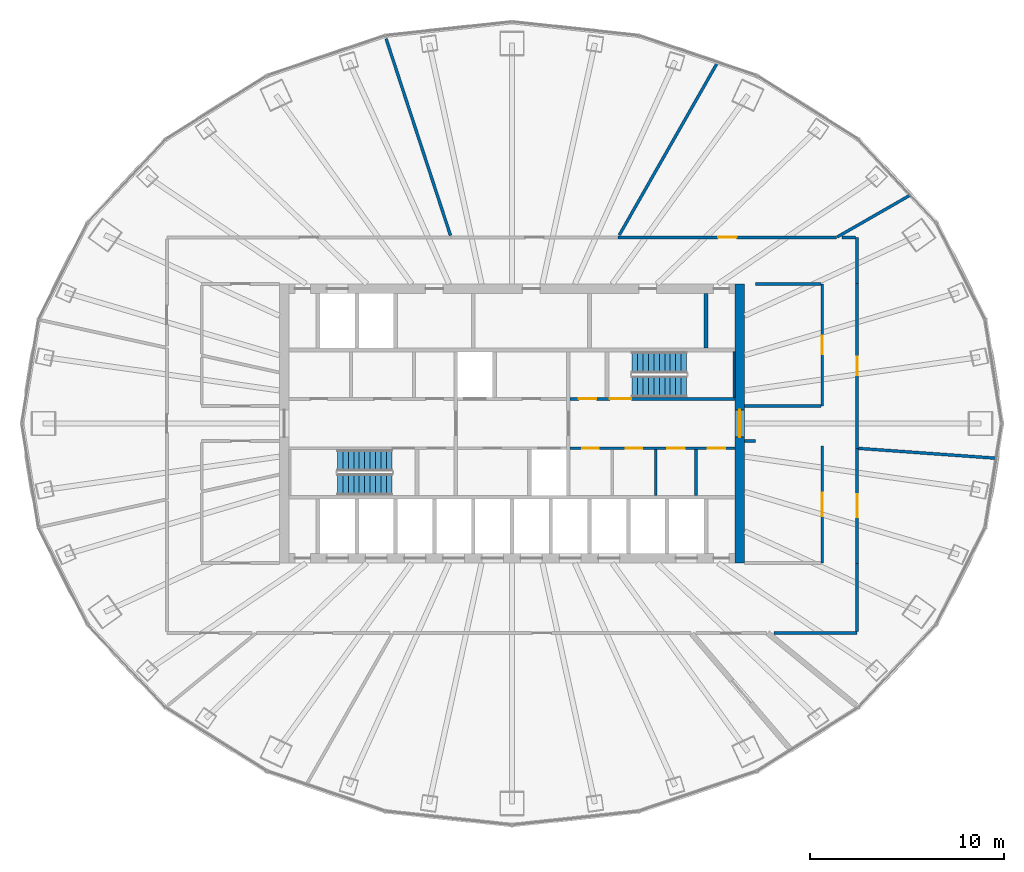
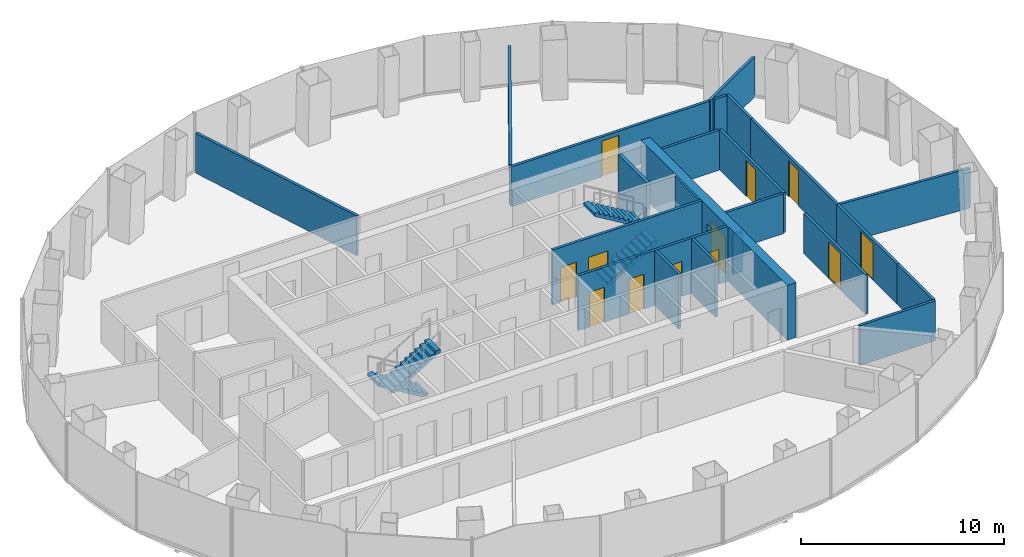
# One storey, part 10 of 11: 23 walls, 12 doors, 4 stair flights, 12 openings, 2 elements without a shape of their own.
"""IFC4 building model written with IfcOpenShell, lengths in metres."""

from ifc_helpers import new_model, si_unit, direction, frame, frame_2d, origin, place, context, subcontext, project, spatial, polyline, rectangle, outline, extrude, material, layer, layer_set, type_object, element, fill, aggregate, save


model = new_model("IFC4")

# Units and contexts
model_context = context("Model", 3, precision=1e-05, world=origin(), true_north=direction((0.0, 1.0)))
body_context = subcontext(model_context, "Body", "Model", "MODEL_VIEW")
ifc_project = project(units=[si_unit("LENGTHUNIT", "METRE"), si_unit("AREAUNIT", "SQUARE_METRE"), si_unit("VOLUMEUNIT", "CUBIC_METRE"), si_unit("PLANEANGLEUNIT", "RADIAN"), si_unit("MASSUNIT", "GRAM", prefix="KILO")], contexts=[model_context])

# Site, building, storey
site_placement = place(None, origin())
site = spatial("IfcSite", under=ifc_project, at=site_placement, CompositionType="ELEMENT")
building_placement = place(site_placement, origin())
building = spatial("IfcBuilding", under=site, at=building_placement, Name="Siaravel Broadcast Tower", CompositionType="ELEMENT")
storey_placement = place(building_placement, frame((0.0, 0.0, 123.0)))
storey = spatial("IfcBuildingStorey", under=building, at=storey_placement, Name="L29", CompositionType="ELEMENT", Elevation=123.0)

# Walls
ifc_material_1 = material(Name="Concrete blockwork", Category="masonry")
ifc_layer_1 = layer(ifc_material_1, 0.14990234375)
ifc_layer_set_1 = layer_set([ifc_layer_1], Name="Concrete blockwork")
wall_type_1 = type_object("IfcWallType", Name="Core partition 150", PredefinedType="PARTITIONING", material=ifc_layer_set_1)
for number, where, z_axis, x_axis, name in (
    (1, (7.410888671875, -3.699951171875, 0.0), (0.0, 0.0, 1.0), (0.0, 1.0, 0.0), "L29 core partition PSE1"),
    (2, (9.492919921875, -3.699951171875, 0.0), (0.0, 0.0, 1.0), (0.0, 1.0, 0.0), "L29 core partition PSE2"),
):
    element("IfcWall", number, at=place(storey_placement, frame(where, z_axis=z_axis, x_axis=x_axis)), inside=storey, type_object=wall_type_1, Name=name, PredefinedType="PARTITIONING", context=body_context, shape_type="SweptSolid", body=[
        extrude(rectangle(XDim=2.349853515625, YDim=0.14990234375, at=frame_2d((1.1748046875, 0.0))), origin(), (0.0, 0.0, 1.0), 3.300048828125),
    ])

# Wall, opening, door
ifc_material_2 = material(Name="Concrete C60/75", Category="concrete")
ifc_layer_2 = layer(ifc_material_2, 0.5)
ifc_layer_set_2 = layer_set([ifc_layer_2], Name="Concrete C60/75")
wall_type_2 = type_object("IfcWallType", Name="Core wall 500", PredefinedType="SHEAR", material=ifc_layer_set_2)
wall_1_placement = place(storey_placement, frame((11.75, -7.199951171875, 0.0), z_axis=(0.0, 0.0, 1.0), x_axis=(0.0, 1.0, 0.0)))
wall_1 = element("IfcWall", 3, at=wall_1_placement, inside=storey, type_object=wall_type_2, Name="L29 core wall OE", PredefinedType="SHEAR", context=body_context, shape_type="SweptSolid", body=[
    extrude(rectangle(XDim=14.39990234375, YDim=0.5, at=frame_2d((7.199951171875, 0.0))), origin(), (0.0, 0.0, 1.0), 3.300048828125),
])
opening_1_placement = place(wall_1_placement, frame((6.5, 0.0, 0.0)))
opening_1 = element("IfcOpeningElement", 4, at=opening_1_placement, cuts=wall_1, Name="Opening L29-DX-E", PredefinedType="OPENING", context=body_context, shape_type="SweptSolid", body=[
    extrude(rectangle(XDim=1.39990234375, YDim=2.199951171875, at=frame_2d((0.699951171875, 1.10009765625))), frame((0.0, 0.260009765625, 0.0), z_axis=(0.0, -1.0, 0.0), x_axis=(1.0, 0.0, 0.0)), (0.0, 0.0, 1.0), 0.52001953125),
])
ifc_material_3 = material(Name="Steel", Category="steel")
door_type_1 = type_object("IfcDoorType", Name="Core exit door 1400", OperationType="DOUBLE_DOOR_SINGLE_SWING", PredefinedType="DOOR", material=ifc_material_3)
door_1_placement = place(opening_1_placement, origin())
door_1 = element("IfcDoor", 5, at=door_1_placement, inside=storey, type_object=door_type_1, Name="L29 door DX-E", OperationType="DOUBLE_DOOR_SINGLE_SWING", OverallHeight=2.199951171875, OverallWidth=1.39990234375, PredefinedType="DOOR", context=body_context, shape_type="SweptSolid", body=[
    extrude(rectangle(XDim=1.39990234375, YDim=2.199951171875, at=frame_2d((0.699951171875, 1.10009765625))), frame((0.0, 0.02490234375, 0.0), z_axis=(0.0, -1.0, 0.0), x_axis=(1.0, 0.0, 0.0)), (0.0, 0.0, 1.0), 0.050048828125),
])
fill(opening_1, door_1)

# Wall, openings, doors
ifc_material_4 = material(Name="Gypsum board partition", Category="gypsum")
ifc_layer_3 = layer(ifc_material_4, 0.14990234375)
ifc_layer_set_3 = layer_set([ifc_layer_3], Name="Gypsum board partition")
wall_type_3 = type_object("IfcWallType", Name="Corridor wall 150", PredefinedType="PARTITIONING", material=ifc_layer_set_3)
wall_2_placement = place(storey_placement, frame((3.0, -1.27490234375, 0.0), z_axis=(0.0, 0.0, 1.0), x_axis=(1.0, 0.0, 0.0)))
wall_2 = element("IfcWall", 6, at=wall_2_placement, inside=storey, type_object=wall_type_3, Name="L29 core partition CSE", PredefinedType="PARTITIONING", context=body_context, shape_type="SweptSolid", body=[
    extrude(rectangle(XDim=8.5, YDim=0.14990234375, at=frame_2d((4.25, 0.0))), origin(), (0.0, 0.0, 1.0), 3.300048828125),
])
opening_2_placement = place(wall_2_placement, frame((0.62158203125, 0.0, 0.0)))
opening_2 = element("IfcOpeningElement", 7, at=opening_2_placement, cuts=wall_2, Name="Opening L29-DSE0", PredefinedType="OPENING", context=body_context, shape_type="SweptSolid", body=[
    extrude(rectangle(XDim=0.85009765625, YDim=2.10009765625, at=frame_2d((0.425048828125, 1.050048828125))), frame((0.0, 0.0849609375, 0.0), z_axis=(0.0, -1.0, 0.0), x_axis=(1.0, 0.0, 0.0)), (0.0, 0.0, 1.0), 0.169921875),
])
opening_3_placement = place(wall_2_placement, frame((2.864501953125, 0.0, 0.0)))
opening_3 = element("IfcOpeningElement", 8, at=opening_3_placement, cuts=wall_2, Name="Opening L29-DSE1", PredefinedType="OPENING", context=body_context, shape_type="SweptSolid", body=[
    extrude(rectangle(XDim=0.85009765625, YDim=2.10009765625, at=frame_2d((0.425048828125, 1.050048828125))), frame((0.0, 0.0849609375, 0.0), z_axis=(0.0, -1.0, 0.0), x_axis=(1.0, 0.0, 0.0)), (0.0, 0.0, 1.0), 0.169921875),
])
opening_4_placement = place(wall_2_placement, frame((5.001953125, 0.0, 0.0)))
opening_4 = element("IfcOpeningElement", 9, at=opening_4_placement, cuts=wall_2, Name="Opening L29-DSE2", PredefinedType="OPENING", context=body_context, shape_type="SweptSolid", body=[
    extrude(rectangle(XDim=0.89990234375, YDim=2.10009765625, at=frame_2d((0.449951171875, 1.050048828125))), frame((0.0, 0.0849609375, 0.0), z_axis=(0.0, -1.0, 0.0), x_axis=(1.0, 0.0, 0.0)), (0.0, 0.0, 1.0), 0.169921875),
])
opening_5_placement = place(wall_2_placement, frame((7.083984375, 0.0, 0.0)))
opening_5 = element("IfcOpeningElement", 10, at=opening_5_placement, cuts=wall_2, Name="Opening L29-DSE3", PredefinedType="OPENING", context=body_context, shape_type="SweptSolid", body=[
    extrude(rectangle(XDim=0.89990234375, YDim=2.10009765625, at=frame_2d((0.449951171875, 1.050048828125))), frame((0.0, 0.0849609375, 0.0), z_axis=(0.0, -1.0, 0.0), x_axis=(1.0, 0.0, 0.0)), (0.0, 0.0, 1.0), 0.169921875),
])
ifc_material_5 = material(Name="Timber veneer", Category="wood")
door_type_2 = type_object("IfcDoorType", Name="Core room door 900", OperationType="SINGLE_SWING_LEFT", PredefinedType="DOOR", material=ifc_material_5)
door_2_placement = place(opening_4_placement, origin())
door_2 = element("IfcDoor", 11, at=door_2_placement, inside=storey, type_object=door_type_2, Name="L29 door DSE2", OperationType="SINGLE_SWING_LEFT", OverallHeight=2.10009765625, OverallWidth=0.89990234375, PredefinedType="DOOR", context=body_context, shape_type="SweptSolid", body=[
    extrude(rectangle(XDim=0.89990234375, YDim=2.10009765625, at=frame_2d((0.449951171875, 1.050048828125))), frame((0.0, 0.02490234375, 0.0), z_axis=(0.0, -1.0, 0.0), x_axis=(1.0, 0.0, 0.0)), (0.0, 0.0, 1.0), 0.050048828125),
])
fill(opening_4, door_2)
door_3_placement = place(opening_5_placement, origin())
door_3 = element("IfcDoor", 12, at=door_3_placement, inside=storey, type_object=door_type_2, Name="L29 door DSE3", OperationType="SINGLE_SWING_LEFT", OverallHeight=2.10009765625, OverallWidth=0.89990234375, PredefinedType="DOOR", context=body_context, shape_type="SweptSolid", body=[
    extrude(rectangle(XDim=0.89990234375, YDim=2.10009765625, at=frame_2d((0.449951171875, 1.050048828125))), frame((0.0, 0.02490234375, 0.0), z_axis=(0.0, -1.0, 0.0), x_axis=(1.0, 0.0, 0.0)), (0.0, 0.0, 1.0), 0.050048828125),
])
fill(opening_5, door_3)
door_type_3 = type_object("IfcDoorType", Name="Core toilet door 850", OperationType="SINGLE_SWING_LEFT", PredefinedType="DOOR", material=ifc_material_5)
door_4_placement = place(opening_2_placement, origin())
door_4 = element("IfcDoor", 13, at=door_4_placement, inside=storey, type_object=door_type_3, Name="L29 door DSE0", OperationType="SINGLE_SWING_LEFT", OverallHeight=2.10009765625, OverallWidth=0.85009765625, PredefinedType="DOOR", context=body_context, shape_type="SweptSolid", body=[
    extrude(rectangle(XDim=0.85009765625, YDim=2.10009765625, at=frame_2d((0.425048828125, 1.050048828125))), frame((0.0, 0.02490234375, 0.0), z_axis=(0.0, -1.0, 0.0), x_axis=(1.0, 0.0, 0.0)), (0.0, 0.0, 1.0), 0.050048828125),
])
fill(opening_2, door_4)
door_5_placement = place(opening_3_placement, origin())
door_5 = element("IfcDoor", 14, at=door_5_placement, inside=storey, type_object=door_type_3, Name="L29 door DSE1", OperationType="SINGLE_SWING_LEFT", OverallHeight=2.10009765625, OverallWidth=0.85009765625, PredefinedType="DOOR", context=body_context, shape_type="SweptSolid", body=[
    extrude(rectangle(XDim=0.85009765625, YDim=2.10009765625, at=frame_2d((0.425048828125, 1.050048828125))), frame((0.0, 0.02490234375, 0.0), z_axis=(0.0, -1.0, 0.0), x_axis=(1.0, 0.0, 0.0)), (0.0, 0.0, 1.0), 0.050048828125),
])
fill(opening_3, door_5)

# Wall, opening, door
wall_3_placement = place(storey_placement, frame((16.73779296875, 9.60009765625, 0.0), z_axis=(0.0, 0.0, 1.0), x_axis=(-1.0, 0.0, 0.0)))
wall_3 = element("IfcWall", 15, at=wall_3_placement, inside=storey, type_object=wall_type_3, Name="L29 partition 3", PredefinedType="PARTITIONING", context=body_context, shape_type="SweptSolid", body=[
    extrude(rectangle(XDim=11.272705078125, YDim=0.14990234375, at=frame_2d((5.63623046875, 0.0))), origin(), (0.0, 0.0, 1.0), 2.39990234375),
])
opening_6_placement = place(wall_3_placement, frame((5.161376953125, 0.0, 0.0)))
opening_6 = element("IfcOpeningElement", 16, at=opening_6_placement, cuts=wall_3, Name="Opening L29-005", PredefinedType="OPENING", context=body_context, shape_type="SweptSolid", body=[
    extrude(rectangle(XDim=0.949951171875, YDim=2.14990234375, at=frame_2d((0.47509765625, 1.074951171875))), frame((0.0, 0.0849609375, 0.0), z_axis=(0.0, -1.0, 0.0), x_axis=(1.0, 0.0, 0.0)), (0.0, 0.0, 1.0), 0.169921875),
])
door_type_4 = type_object("IfcDoorType", Name="Office door 950", OperationType="SINGLE_SWING_LEFT", PredefinedType="DOOR", material=ifc_material_5)
door_6_placement = place(opening_6_placement, origin())
door_6 = element("IfcDoor", 17, at=door_6_placement, inside=storey, type_object=door_type_4, Name="L29 door to Design studio", OperationType="SINGLE_SWING_LEFT", OverallHeight=2.14990234375, OverallWidth=0.949951171875, PredefinedType="DOOR", context=body_context, shape_type="SweptSolid", body=[
    extrude(rectangle(XDim=0.949951171875, YDim=2.14990234375, at=frame_2d((0.47509765625, 1.074951171875))), frame((0.0, 0.02490234375, 0.0), z_axis=(0.0, -1.0, 0.0), x_axis=(1.0, 0.0, 0.0)), (0.0, 0.0, 1.0), 0.050048828125),
])
fill(opening_6, door_6)

wall_4_placement = place(storey_placement, frame((17.800048828125, -1.275634765625, 0.0), z_axis=(0.0, 0.0, 1.0), x_axis=(0.0, 1.0, 0.0)))
wall_4 = element("IfcWall", 18, at=wall_4_placement, inside=storey, type_object=wall_type_3, Name="L29 partition 8", PredefinedType="PARTITIONING", context=body_context, shape_type="SweptSolid", body=[
    extrude(rectangle(XDim=8.487548828125, YDim=0.14990234375, at=frame_2d((4.24365234375, 0.0))), origin(), (0.0, 0.0, 1.0), 2.39990234375),
])
opening_7_placement = place(wall_4_placement, frame((3.768798828125, 0.0, 0.0)))
opening_7 = element("IfcOpeningElement", 19, at=opening_7_placement, cuts=wall_4, Name="Opening L29-004", PredefinedType="OPENING", context=body_context, shape_type="SweptSolid", body=[
    extrude(rectangle(XDim=0.949951171875, YDim=2.14990234375, at=frame_2d((0.47509765625, 1.074951171875))), frame((0.0, 0.0849609375, 0.0), z_axis=(0.0, -1.0, 0.0), x_axis=(1.0, 0.0, 0.0)), (0.0, 0.0, 1.0), 0.169921875),
])
door_7_placement = place(opening_7_placement, origin())
door_7 = element("IfcDoor", 20, at=door_7_placement, inside=storey, type_object=door_type_4, Name="L29 door to Design studio", OperationType="SINGLE_SWING_RIGHT", OverallHeight=2.14990234375, OverallWidth=0.949951171875, PredefinedType="DOOR", context=body_context, shape_type="SweptSolid", body=[
    extrude(rectangle(XDim=0.949951171875, YDim=2.14990234375, at=frame_2d((0.47509765625, 1.074951171875))), frame((0.0, 0.02490234375, 0.0), z_axis=(0.0, -1.0, 0.0), x_axis=(1.0, 0.0, 0.0)), (0.0, 0.0, 1.0), 0.050048828125),
])
fill(opening_7, door_7)

wall_5_placement = place(storey_placement, frame((16.0, 7.199951171875, 0.0), z_axis=(0.0, 0.0, 1.0), x_axis=(0.0, -1.0, 0.0)))
wall_5 = element("IfcWall", 21, at=wall_5_placement, inside=storey, type_object=wall_type_3, Name="L29 partition 15", PredefinedType="PARTITIONING", context=body_context, shape_type="SweptSolid", body=[
    extrude(rectangle(XDim=6.300048828125, YDim=0.14990234375, at=frame_2d((3.14990234375, 0.0))), origin(), (0.0, 0.0, 1.0), 2.39990234375),
])
opening_8_placement = place(wall_5_placement, frame((2.675048828125, 0.0, 0.0)))
opening_8 = element("IfcOpeningElement", 22, at=opening_8_placement, cuts=wall_5, Name="Opening L29-003", PredefinedType="OPENING", context=body_context, shape_type="SweptSolid", body=[
    extrude(rectangle(XDim=0.949951171875, YDim=2.14990234375, at=frame_2d((0.47509765625, 1.074951171875))), frame((0.0, 0.0849609375, 0.0), z_axis=(0.0, -1.0, 0.0), x_axis=(1.0, 0.0, 0.0)), (0.0, 0.0, 1.0), 0.169921875),
])
door_8_placement = place(opening_8_placement, origin())
door_8 = element("IfcDoor", 23, at=door_8_placement, inside=storey, type_object=door_type_4, Name="L29 door to Design studio", OperationType="SINGLE_SWING_LEFT", OverallHeight=2.14990234375, OverallWidth=0.949951171875, PredefinedType="DOOR", context=body_context, shape_type="SweptSolid", body=[
    extrude(rectangle(XDim=0.949951171875, YDim=2.14990234375, at=frame_2d((0.47509765625, 1.074951171875))), frame((0.0, 0.02490234375, 0.0), z_axis=(0.0, -1.0, 0.0), x_axis=(1.0, 0.0, 0.0)), (0.0, 0.0, 1.0), 0.050048828125),
])
fill(opening_8, door_8)

wall_6_placement = place(storey_placement, frame((16.0, -1.146484375, 0.0), z_axis=(0.0, 0.0, 1.0), x_axis=(0.0, -1.0, 0.0)))
wall_6 = element("IfcWall", 24, at=wall_6_placement, inside=storey, type_object=wall_type_3, Name="L29 partition 16", PredefinedType="PARTITIONING", context=body_context, shape_type="SweptSolid", body=[
    extrude(rectangle(XDim=6.053466796875, YDim=0.14990234375, at=frame_2d((3.02685546875, 0.0))), origin(), (0.0, 0.0, 1.0), 2.39990234375),
])
opening_9_placement = place(wall_6_placement, frame((2.4267578125, 0.0, 0.0)))
opening_9 = element("IfcOpeningElement", 25, at=opening_9_placement, cuts=wall_6, Name="Opening L29-001", PredefinedType="OPENING", context=body_context, shape_type="SweptSolid", body=[
    extrude(rectangle(XDim=1.199951171875, YDim=2.199951171875, at=frame_2d((0.60009765625, 1.10009765625))), frame((0.0, 0.0849609375, 0.0), z_axis=(0.0, -1.0, 0.0), x_axis=(1.0, 0.0, 0.0)), (0.0, 0.0, 1.0), 0.169921875),
])
door_type_5 = type_object("IfcDoorType", Name="Office double door 1200", OperationType="DOUBLE_DOOR_SINGLE_SWING", PredefinedType="DOOR", material=ifc_material_5)
door_9_placement = place(opening_9_placement, origin())
door_9 = element("IfcDoor", 26, at=door_9_placement, inside=storey, type_object=door_type_5, Name="L29 door to Open plan production office", OperationType="DOUBLE_DOOR_SINGLE_SWING", OverallHeight=2.199951171875, OverallWidth=1.199951171875, PredefinedType="DOOR", context=body_context, shape_type="SweptSolid", body=[
    extrude(rectangle(XDim=1.199951171875, YDim=2.199951171875, at=frame_2d((0.60009765625, 1.10009765625))), frame((0.0, 0.02490234375, 0.0), z_axis=(0.0, -1.0, 0.0), x_axis=(1.0, 0.0, 0.0)), (0.0, 0.0, 1.0), 0.050048828125),
])
fill(opening_9, door_9)

wall_7_placement = place(storey_placement, frame((17.800048828125, -7.2119140625, 0.0), z_axis=(0.0, 0.0, 1.0), x_axis=(0.0, 1.0, 0.0)))
wall_7 = element("IfcWall", 27, at=wall_7_placement, inside=storey, type_object=wall_type_3, Name="L29 partition 17", PredefinedType="PARTITIONING", context=body_context, shape_type="SweptSolid", body=[
    extrude(rectangle(XDim=5.936279296875, YDim=0.14990234375, at=frame_2d((2.96826171875, 0.0))), origin(), (0.0, 0.0, 1.0), 2.39990234375),
])
opening_10_placement = place(wall_7_placement, frame((2.3681640625, 0.0, 0.0)))
opening_10 = element("IfcOpeningElement", 28, at=opening_10_placement, cuts=wall_7, Name="Opening L29-002", PredefinedType="OPENING", context=body_context, shape_type="SweptSolid", body=[
    extrude(rectangle(XDim=1.199951171875, YDim=2.199951171875, at=frame_2d((0.60009765625, 1.10009765625))), frame((0.0, 0.0849609375, 0.0), z_axis=(0.0, -1.0, 0.0), x_axis=(1.0, 0.0, 0.0)), (0.0, 0.0, 1.0), 0.169921875),
])
door_10_placement = place(opening_10_placement, origin())
door_10 = element("IfcDoor", 29, at=door_10_placement, inside=storey, type_object=door_type_5, Name="L29 door to Open plan production office", OperationType="DOUBLE_DOOR_SINGLE_SWING", OverallHeight=2.199951171875, OverallWidth=1.199951171875, PredefinedType="DOOR", context=body_context, shape_type="SweptSolid", body=[
    extrude(rectangle(XDim=1.199951171875, YDim=2.199951171875, at=frame_2d((0.60009765625, 1.10009765625))), frame((0.0, 0.02490234375, 0.0), z_axis=(0.0, -1.0, 0.0), x_axis=(1.0, 0.0, 0.0)), (0.0, 0.0, 1.0), 0.050048828125),
])
fill(opening_10, door_10)

# Walls
wall_8_placement = place(storey_placement, frame((13.49951171875, -10.800048828125, 0.0), z_axis=(0.0, 0.0, 1.0), x_axis=(1.0, 0.0, 0.0)))
element("IfcWall", 30, at=wall_8_placement, inside=storey, type_object=wall_type_3, Name="L29 partition 21", PredefinedType="PARTITIONING", context=body_context, shape_type="SweptSolid", body=[
    extrude(rectangle(XDim=4.300537109375, YDim=0.14990234375, at=frame_2d((2.150390625, 0.0))), origin(), (0.0, 0.0, 1.0), 2.39990234375),
])
wall_9_placement = place(storey_placement, frame((15.923095703125, 0.89990234375, 0.0), z_axis=(0.0, 0.0, 1.0), x_axis=(-1.0, 0.0, 0.0)))
element("IfcWall", 31, at=wall_9_placement, inside=storey, type_object=wall_type_3, Name="L29 partition 30", PredefinedType="PARTITIONING", context=body_context, shape_type="SweptSolid", body=[
    extrude(rectangle(XDim=3.923095703125, YDim=0.14990234375, at=frame_2d((1.96142578125, 0.0))), origin(), (0.0, 0.0, 1.0), 2.39990234375),
])
wall_10_placement = place(storey_placement, frame((17.800048828125, -10.722900390625, 0.0), z_axis=(0.0, 0.0, 1.0), x_axis=(0.0, 1.0, 0.0)))
element("IfcWall", 32, at=wall_10_placement, inside=storey, type_object=wall_type_3, Name="L29 partition 35", PredefinedType="PARTITIONING", context=body_context, shape_type="SweptSolid", body=[
    extrude(rectangle(XDim=3.510009765625, YDim=0.14990234375, at=frame_2d((1.7548828125, 0.0))), origin(), (0.0, 0.0, 1.0), 2.39990234375),
])
wall_11_placement = place(storey_placement, frame((12.553466796875, 7.199951171875, 0.0), z_axis=(0.0, 0.0, 1.0), x_axis=(1.0, 0.0, 0.0)))
element("IfcWall", 33, at=wall_11_placement, inside=storey, type_object=wall_type_3, Name="L29 partition 36", PredefinedType="PARTITIONING", context=body_context, shape_type="SweptSolid", body=[
    extrude(rectangle(XDim=3.36962890625, YDim=0.14990234375, at=frame_2d((1.684814453125, 0.0))), origin(), (0.0, 0.0, 1.0), 2.39990234375),
])
wall_12_placement = place(storey_placement, frame((17.800048828125, 7.212890625, 0.0), z_axis=(0.0, 0.0, 1.0), x_axis=(0.0, 1.0, 0.0)))
element("IfcWall", 34, at=wall_12_placement, inside=storey, type_object=wall_type_3, Name="L29 partition 42", PredefinedType="PARTITIONING", context=body_context, shape_type="SweptSolid", body=[
    extrude(rectangle(XDim=2.38720703125, YDim=0.14990234375, at=frame_2d((1.193603515625, 0.0))), origin(), (0.0, 0.0, 1.0), 2.39990234375),
])
wall_13_placement = place(storey_placement, frame((17.722900390625, 9.60009765625, 0.0), z_axis=(0.0, 0.0, 1.0), x_axis=(-1.0, 0.0, 0.0)))
element("IfcWall", 35, at=wall_13_placement, inside=storey, type_object=wall_type_3, Name="L29 partition 43", PredefinedType="PARTITIONING", context=body_context, shape_type="SweptSolid", body=[
    extrude(rectangle(XDim=0.701416015625, YDim=0.14990234375, at=frame_2d((0.3505859375, 0.0))), origin(), (0.0, 0.0, 1.0), 2.39990234375),
])
wall_14_placement = place(storey_placement, frame((12.0, -0.89990234375, 0.0), z_axis=(0.0, 0.0, 1.0), x_axis=(1.0, 0.0, 0.0)))
element("IfcWall", 36, at=wall_14_placement, inside=storey, type_object=wall_type_3, Name="L29 partition 44", PredefinedType="PARTITIONING", context=body_context, shape_type="SweptSolid", body=[
    extrude(rectangle(XDim=0.55908203125, YDim=0.14990234375, at=frame_2d((0.279541015625, 0.0))), origin(), (0.0, 0.0, 1.0), 2.39990234375),
])
ifc_layer_4 = layer(ifc_material_4, 0.14990234375)
ifc_layer_set_4 = layer_set([ifc_layer_4], Name="Gypsum board partition")
wall_type_4 = type_object("IfcWallType", Name="Room partition 150", PredefinedType="PARTITIONING", material=ifc_layer_set_4)
wall_15_placement = place(storey_placement, frame((-6.490234375, 19.8408203125, 0.0), z_axis=(0.0, 0.0, 1.0), x_axis=(0.310902644, -0.950441763, 0.0)))
element("IfcWall", 37, at=wall_15_placement, inside=storey, type_object=wall_type_4, Name="L29 partition 4", PredefinedType="PARTITIONING", context=body_context, shape_type="SweptSolid", body=[
    extrude(rectangle(XDim=10.66943359375, YDim=0.14990234375, at=frame_2d((5.334716796875, 0.0))), origin(), (0.0, 0.0, 1.0), 2.39990234375),
])
wall_16_placement = place(storey_placement, frame((10.598388671875, 18.6171875, 0.0), z_axis=(0.0, 0.0, 1.0), x_axis=(-0.494739643, -0.869041245, 0.0)))
element("IfcWall", 38, at=wall_16_placement, inside=storey, type_object=wall_type_4, Name="L29 partition 5", PredefinedType="PARTITIONING", context=body_context, shape_type="SweptSolid", body=[
    extrude(rectangle(XDim=10.244873046875, YDim=0.14990234375, at=frame_2d((5.12255859375, 0.0))), origin(), (0.0, 0.0, 1.0), 2.39990234375),
])
wall_17_placement = place(storey_placement, frame((25.005615234375, -1.7919921875, 0.0), z_axis=(0.0, 0.0, 1.0), x_axis=(-0.997440983, 0.071494657, 0.0)))
element("IfcWall", 39, at=wall_17_placement, inside=storey, type_object=wall_type_4, Name="L29 partition 11", PredefinedType="PARTITIONING", context=body_context, shape_type="SweptSolid", body=[
    extrude(rectangle(XDim=7.147216796875, YDim=0.14990234375, at=frame_2d((3.57373046875, 0.0))), origin(), (0.0, 0.0, 1.0), 2.39990234375),
])
wall_18_placement = place(storey_placement, frame((20.552978515625, 11.7880859375, 0.0), z_axis=(0.0, 0.0, 1.0), x_axis=(-0.86746307, -0.497501581, 0.0)))
element("IfcWall", 40, at=wall_18_placement, inside=storey, type_object=wall_type_4, Name="L29 partition 22", PredefinedType="PARTITIONING", context=body_context, shape_type="SweptSolid", body=[
    extrude(rectangle(XDim=4.358642578125, YDim=0.14990234375, at=frame_2d((2.17919921875, 0.0))), origin(), (0.0, 0.0, 1.0), 2.39990234375),
])
ifc_layer_5 = layer(ifc_material_2, 0.10009765625)
ifc_layer_set_5 = layer_set([ifc_layer_5], Name="Concrete C60/75")
wall_type_5 = type_object("IfcWallType", Name="Shaft wall 100", PredefinedType="SHEAR", material=ifc_layer_set_5)
wall_19_placement = place(storey_placement, frame((11.449951171875, 1.35009765625, 0.0), z_axis=(0.0, 0.0, 1.0), x_axis=(0.0, 1.0, 0.0)))
element("IfcWall", 41, at=wall_19_placement, inside=storey, type_object=wall_type_5, Name="L29 core wall ST2E", PredefinedType="SHEAR", context=body_context, shape_type="SweptSolid", body=[
    extrude(rectangle(XDim=2.349853515625, YDim=0.10009765625, at=frame_2d((1.1748046875, 0.0))), origin(), (0.0, 0.0, 1.0), 3.300048828125),
])

# Wall, openings, doors
ifc_layer_6 = layer(ifc_material_2, 0.14990234375)
ifc_layer_set_6 = layer_set([ifc_layer_6], Name="Concrete C60/75")
wall_type_6 = type_object("IfcWallType", Name="Shaft wall 150", PredefinedType="SHEAR", material=ifc_layer_set_6)
wall_20_placement = place(storey_placement, frame((3.0, 1.27490234375, 0.0), z_axis=(0.0, 0.0, 1.0), x_axis=(1.0, 0.0, 0.0)))
wall_20 = element("IfcWall", 42, at=wall_20_placement, inside=storey, type_object=wall_type_6, Name="L29 core wall CNE", PredefinedType="SHEAR", context=body_context, shape_type="SweptSolid", body=[
    extrude(rectangle(XDim=8.5, YDim=0.14990234375, at=frame_2d((4.25, 0.0))), origin(), (0.0, 0.0, 1.0), 3.300048828125),
])
opening_11_placement = place(wall_20_placement, frame((2.050048828125, 0.0, 0.0)))
opening_11 = element("IfcOpeningElement", 43, at=opening_11_placement, cuts=wall_20, Name="Opening L29-DS-2", PredefinedType="OPENING", context=body_context, shape_type="SweptSolid", body=[
    extrude(rectangle(XDim=1.10009765625, YDim=2.14990234375, at=frame_2d((0.550048828125, 1.074951171875))), frame((0.0, 0.0849609375, 0.0), z_axis=(0.0, -1.0, 0.0), x_axis=(1.0, 0.0, 0.0)), (0.0, 0.0, 1.0), 0.169921875),
])
opening_12_placement = place(wall_20_placement, frame((0.449951171875, 0.0, 0.0)))
opening_12 = element("IfcOpeningElement", 44, at=opening_12_placement, cuts=wall_20, Name="Opening L29-DNE0", PredefinedType="OPENING", context=body_context, shape_type="SweptSolid", body=[
    extrude(rectangle(XDim=0.89990234375, YDim=2.10009765625, at=frame_2d((0.449951171875, 1.050048828125))), frame((0.0, 0.0849609375, 0.0), z_axis=(0.0, -1.0, 0.0), x_axis=(1.0, 0.0, 0.0)), (0.0, 0.0, 1.0), 0.169921875),
])
door_11_placement = place(opening_12_placement, origin())
door_11 = element("IfcDoor", 45, at=door_11_placement, inside=storey, type_object=door_type_2, Name="L29 door DNE0", OperationType="SINGLE_SWING_LEFT", OverallHeight=2.10009765625, OverallWidth=0.89990234375, PredefinedType="DOOR", context=body_context, shape_type="SweptSolid", body=[
    extrude(rectangle(XDim=0.89990234375, YDim=2.10009765625, at=frame_2d((0.449951171875, 1.050048828125))), frame((0.0, 0.02490234375, 0.0), z_axis=(0.0, -1.0, 0.0), x_axis=(1.0, 0.0, 0.0)), (0.0, 0.0, 1.0), 0.050048828125),
])
fill(opening_12, door_11)
door_type_6 = type_object("IfcDoorType", Name="Stair door 1100", OperationType="SINGLE_SWING_LEFT", PredefinedType="DOOR", material=ifc_material_3)
door_12_placement = place(opening_11_placement, origin())
door_12 = element("IfcDoor", 46, at=door_12_placement, inside=storey, type_object=door_type_6, Name="L29 door DS-2", OperationType="SINGLE_SWING_LEFT", OverallHeight=2.14990234375, OverallWidth=1.10009765625, PredefinedType="DOOR", context=body_context, shape_type="SweptSolid", body=[
    extrude(rectangle(XDim=1.10009765625, YDim=2.14990234375, at=frame_2d((0.550048828125, 1.074951171875))), frame((0.0, 0.02490234375, 0.0), z_axis=(0.0, -1.0, 0.0), x_axis=(1.0, 0.0, 0.0)), (0.0, 0.0, 1.0), 0.050048828125),
])
fill(opening_11, door_12)

# Wall
ifc_layer_7 = layer(ifc_material_2, 0.199951171875)
ifc_layer_set_7 = layer_set([ifc_layer_7], Name="Concrete C60/75")
wall_type_7 = type_object("IfcWallType", Name="Shaft wall 200", PredefinedType="SHEAR", material=ifc_layer_set_7)
wall_21_placement = place(storey_placement, frame((10.0, 3.89990234375, 0.0), z_axis=(0.0, 0.0, 1.0), x_axis=(0.0, 1.0, 0.0)))
element("IfcWall", 47, at=wall_21_placement, inside=storey, type_object=wall_type_7, Name="L29 core wall SWN10", PredefinedType="SHEAR", context=body_context, shape_type="SweptSolid", body=[
    extrude(rectangle(XDim=2.800048828125, YDim=0.199951171875, at=frame_2d((1.39990234375, 0.0))), origin(), (0.0, 0.0, 1.0), 3.300048828125),
])

# Stair, stair flights
ifc_material_6 = material(Name="Concrete C40/50", Category="concrete")
stair_type = type_object("IfcStairType", Name="Core exit stair", PredefinedType="HALF_TURN_STAIR", material=ifc_material_6)
stair_1_placement = place(storey_placement, origin())
stair_1 = element("IfcStair", 48, at=stair_1_placement, inside=storey, type_object=stair_type, Name="L29 Exit stair ST-1", PredefinedType="HALF_TURN_STAIR")
stair_flight_type = type_object("IfcStairFlightType", Name="Stair flight 1100", PredefinedType="STRAIGHT", material=ifc_material_6)
stair_flight_1_placement = place(storey_placement, frame((-6.199951171875, -1.89990234375, 0.0), z_axis=(0.0, 0.0, 1.0), x_axis=(-1.0, 0.0, 0.0)))
stair_flight_1 = element("IfcStairFlight", 49, at=stair_flight_1_placement, type_object=stair_flight_type, Name="ST-1 flight 1", NumberOfRisers=11, NumberOfTreads=10, PredefinedType="STRAIGHT", RiserHeight=0.1681818, TreadLength=0.28, context=body_context, shape_type="SweptSolid", body=[
    extrude(outline(polyline([(0.0, 0.0), (0.0, 0.168212890625), (0.280029296875, 0.168212890625), (0.280029296875, 0.33642578125), (0.56005859375, 0.33642578125), (0.56005859375, 0.504638671875), (0.840087890625, 0.504638671875), (0.840087890625, 0.672607421875), (1.1201171875, 0.672607421875), (1.1201171875, 0.8408203125), (1.39990234375, 0.8408203125), (1.39990234375, 1.009033203125), (1.679931640625, 1.009033203125), (1.679931640625, 1.17724609375), (1.9599609375, 1.17724609375), (1.9599609375, 1.345458984375), (2.239990234375, 1.345458984375), (2.239990234375, 1.513671875), (2.52001953125, 1.513671875), (2.52001953125, 1.681884765625), (2.800048828125, 1.681884765625), (2.800048828125, 1.85009765625), (2.800048828125, 1.5068359375), (0.291015625, 0.0), (0.0, 0.0)])), frame((0.0, 0.550048828125, 0.0), z_axis=(0.0, -1.0, 0.0), x_axis=(1.0, 0.0, 0.0)), (0.0, 0.0, 1.0), 1.10009765625),
])
stair_flight_2_placement = place(storey_placement, frame((-9.0, -3.14990234375, 1.85009765625), z_axis=(0.0, 0.0, 1.0), x_axis=(1.0, 0.0, 0.0)))
stair_flight_2 = element("IfcStairFlight", 50, at=stair_flight_2_placement, type_object=stair_flight_type, Name="ST-1 flight 2", NumberOfRisers=11, NumberOfTreads=10, PredefinedType="STRAIGHT", RiserHeight=0.1681818, TreadLength=0.28, context=body_context, shape_type="SweptSolid", body=[
    extrude(outline(polyline([(0.0, 0.0), (0.0, 0.168212890625), (0.280029296875, 0.168212890625), (0.280029296875, 0.33642578125), (0.56005859375, 0.33642578125), (0.56005859375, 0.504638671875), (0.840087890625, 0.504638671875), (0.840087890625, 0.672607421875), (1.1201171875, 0.672607421875), (1.1201171875, 0.8408203125), (1.39990234375, 0.8408203125), (1.39990234375, 1.009033203125), (1.679931640625, 1.009033203125), (1.679931640625, 1.17724609375), (1.9599609375, 1.17724609375), (1.9599609375, 1.345458984375), (2.239990234375, 1.345458984375), (2.239990234375, 1.513671875), (2.52001953125, 1.513671875), (2.52001953125, 1.681884765625), (2.800048828125, 1.681884765625), (2.800048828125, 1.85009765625), (2.800048828125, 1.5068359375), (0.291015625, 0.0), (0.0, 0.0)])), frame((0.0, 0.550048828125, 0.0), z_axis=(0.0, -1.0, 0.0), x_axis=(1.0, 0.0, 0.0)), (0.0, 0.0, 1.0), 1.10009765625),
])
aggregate(stair_1, [stair_flight_1, stair_flight_2])

stair_2_placement = place(storey_placement, origin())
stair_2 = element("IfcStair", 51, at=stair_2_placement, inside=storey, type_object=stair_type, Name="L29 Exit stair ST-2", PredefinedType="HALF_TURN_STAIR")
stair_flight_3_placement = place(storey_placement, frame((6.199951171875, 1.89990234375, 0.0), z_axis=(0.0, 0.0, 1.0), x_axis=(1.0, 0.0, 0.0)))
stair_flight_3 = element("IfcStairFlight", 52, at=stair_flight_3_placement, type_object=stair_flight_type, Name="ST-2 flight 1", NumberOfRisers=11, NumberOfTreads=10, PredefinedType="STRAIGHT", RiserHeight=0.1681818, TreadLength=0.28, context=body_context, shape_type="SweptSolid", body=[
    extrude(outline(polyline([(0.0, 0.0), (0.0, 0.168212890625), (0.280029296875, 0.168212890625), (0.280029296875, 0.33642578125), (0.56005859375, 0.33642578125), (0.56005859375, 0.504638671875), (0.840087890625, 0.504638671875), (0.840087890625, 0.672607421875), (1.1201171875, 0.672607421875), (1.1201171875, 0.8408203125), (1.39990234375, 0.8408203125), (1.39990234375, 1.009033203125), (1.679931640625, 1.009033203125), (1.679931640625, 1.17724609375), (1.9599609375, 1.17724609375), (1.9599609375, 1.345458984375), (2.239990234375, 1.345458984375), (2.239990234375, 1.513671875), (2.52001953125, 1.513671875), (2.52001953125, 1.681884765625), (2.800048828125, 1.681884765625), (2.800048828125, 1.85009765625), (2.800048828125, 1.5068359375), (0.291015625, 0.0), (0.0, 0.0)])), frame((0.0, 0.550048828125, 0.0), z_axis=(0.0, -1.0, 0.0), x_axis=(1.0, 0.0, 0.0)), (0.0, 0.0, 1.0), 1.10009765625),
])
stair_flight_4_placement = place(storey_placement, frame((9.0, 3.14990234375, 1.85009765625), z_axis=(0.0, 0.0, 1.0), x_axis=(-1.0, 0.0, 0.0)))
stair_flight_4 = element("IfcStairFlight", 53, at=stair_flight_4_placement, type_object=stair_flight_type, Name="ST-2 flight 2", NumberOfRisers=11, NumberOfTreads=10, PredefinedType="STRAIGHT", RiserHeight=0.1681818, TreadLength=0.28, context=body_context, shape_type="SweptSolid", body=[
    extrude(outline(polyline([(0.0, 0.0), (0.0, 0.168212890625), (0.280029296875, 0.168212890625), (0.280029296875, 0.33642578125), (0.56005859375, 0.33642578125), (0.56005859375, 0.504638671875), (0.840087890625, 0.504638671875), (0.840087890625, 0.672607421875), (1.1201171875, 0.672607421875), (1.1201171875, 0.8408203125), (1.39990234375, 0.8408203125), (1.39990234375, 1.009033203125), (1.679931640625, 1.009033203125), (1.679931640625, 1.17724609375), (1.9599609375, 1.17724609375), (1.9599609375, 1.345458984375), (2.239990234375, 1.345458984375), (2.239990234375, 1.513671875), (2.52001953125, 1.513671875), (2.52001953125, 1.681884765625), (2.800048828125, 1.681884765625), (2.800048828125, 1.85009765625), (2.800048828125, 1.5068359375), (0.291015625, 0.0), (0.0, 0.0)])), frame((0.0, 0.550048828125, 0.0), z_axis=(0.0, -1.0, 0.0), x_axis=(1.0, 0.0, 0.0)), (0.0, 0.0, 1.0), 1.10009765625),
])
aggregate(stair_2, [stair_flight_3, stair_flight_4])

save(model, "model.ifc")
